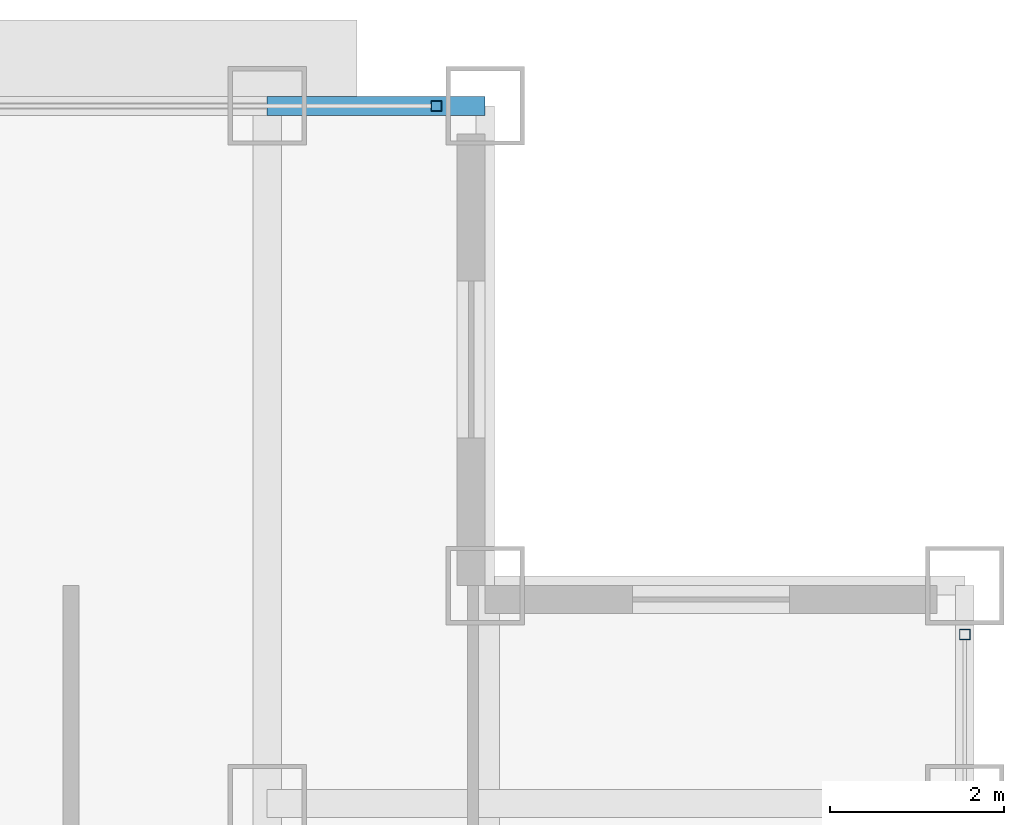
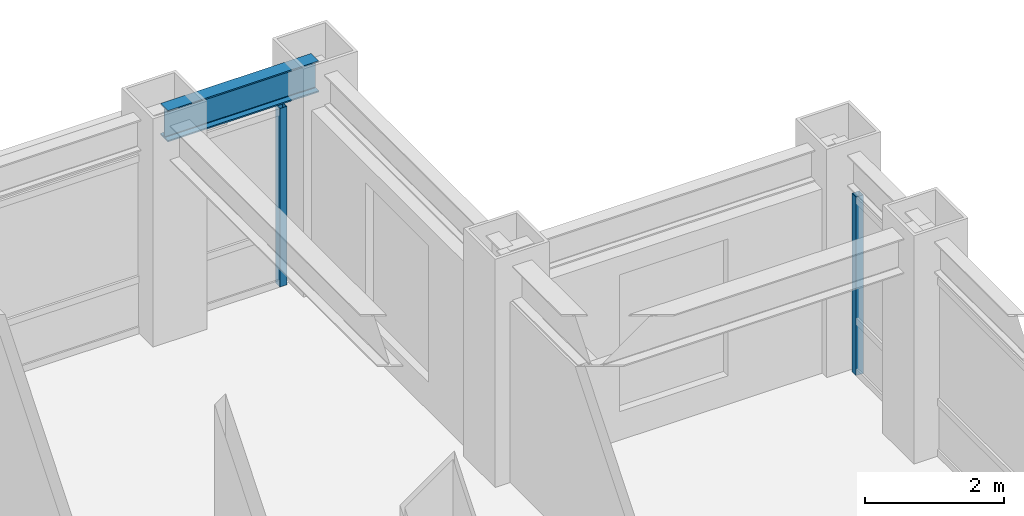
# One storey, part 16 of 27: 2 members, 1 beam, 2 elements without a shape of their own.
"""IFC4 building model written with IfcOpenShell, lengths in metres."""

from ifc_helpers import new_model, si_unit, direction, frame, origin, origin_2d, place, context, subcontext, project, spatial, hollow_rectangle, i_section, extrude, source, transform, mapped, material, material_profile, profile_set, type_object, element, aggregate, save


model = new_model("IFC4")

# Units and contexts
model_context = context("Model", 3, precision=1e-05, world=origin(), true_north=direction((0.0, 1.0)))
body_context = subcontext(model_context, "Body", "Model", "MODEL_VIEW")
ifc_project = project(units=[si_unit("LENGTHUNIT", "METRE"), si_unit("AREAUNIT", "SQUARE_METRE"), si_unit("VOLUMEUNIT", "CUBIC_METRE"), si_unit("PLANEANGLEUNIT", "RADIAN"), si_unit("MASSUNIT", "GRAM", prefix="KILO")], contexts=[model_context])

# Site, building, storey
site_placement = place(None, origin())
site = spatial("IfcSite", under=ifc_project, at=site_placement, CompositionType="ELEMENT")
building_placement = place(site_placement, origin())
building = spatial("IfcBuilding", under=site, at=building_placement, Name="Khorayat Bourse Tower", CompositionType="ELEMENT")
storey_placement = place(building_placement, frame((0.0, 0.0, 281.5)))
storey = spatial("IfcBuildingStorey", under=building, at=storey_placement, Name="L66", CompositionType="ELEMENT", Elevation=281.5)

# Beam
ifc_material_1 = material(Name="Steel ASTM A992 Grade 50", Category="steel")
ifc_material_profile_1 = material_profile(ifc_material_1, i_section(OverallWidth=0.214111328125, OverallDepth=0.549072265625, WebThickness=0.0146484375, FlangeThickness=0.023681640625, FilletRadius=0.013916015625, at=origin_2d()), Name="W530X138")
ifc_profile_set_1 = profile_set([ifc_material_profile_1], Name="Steel ASTM A992 Grade 50")
beam_type = type_object("IfcBeamType", Name="BM-SPAN-530", PredefinedType="SPANDREL", material=ifc_profile_set_1)
shared_shape_1 = source(origin(), body_context, "Body", "SweptSolid", [
    extrude(i_section(OverallWidth=0.214111328125, OverallDepth=0.549072265625, WebThickness=0.0146484375, FlangeThickness=0.023681640625, FilletRadius=0.013916015625, at=origin_2d()), origin(), (0.0, 0.0, 1.0), 2.5),
])
beam_placement = place(storey_placement, frame((20.0, 28.0, 3.505615234375), z_axis=(1.0, 0.0, 0.0), x_axis=(0.0, 1.0, 0.0)))
element("IfcBeam", 1, at=beam_placement, inside=storey, type_object=beam_type, Name="L66 BM-SPAN-530 BM-L66-SPN-044", PredefinedType="SPANDREL", context=body_context, shape_type="MappedRepresentation", body=[
    mapped(shared_shape_1, transform((0.0, 0.0, 0.0), scale=1.0)),
])

# Curtain wall, member
ifc_material_2 = material(Name="Aluminium EN AW-6063 T6", Category="aluminium")
curtain_wall_type = type_object("IfcCurtainWallType", Name="CW-SYS-04", PredefinedType="NOTDEFINED", material=ifc_material_2)
curtain_wall_1_placement = place(storey_placement, origin())
curtain_wall_1 = element("IfcCurtainWall", 2, at=curtain_wall_1_placement, inside=storey, type_object=curtain_wall_type, Name="L66 Curtain Wall CW-L66-N1", PredefinedType="NOTDEFINED")
ifc_material_profile_2 = material_profile(ifc_material_2, hollow_rectangle(XDim=0.1201171875, YDim=0.1201171875, WallThickness=0.0048828125, at=origin_2d()), Name="ALU 120x120x5")
ifc_profile_set_2 = profile_set([ifc_material_profile_2], Name="Aluminium EN AW-6063 T6")
member_type = type_object("IfcMemberType", Name="CWM-VERT-120", PredefinedType="MULLION", material=ifc_profile_set_2)
shared_shape_2 = source(origin(), body_context, "Body", "SweptSolid", [
    extrude(hollow_rectangle(XDim=0.1201171875, YDim=0.1201171875, WallThickness=0.0048828125, at=origin_2d()), origin(), (0.0, 0.0, 1.0), 3.1298828125),
])
member_1_placement = place(storey_placement, frame((21.93994140625, 28.0, 0.0), z_axis=(0.0, 0.0, 1.0), x_axis=(0.0, 1.0, 0.0)))
member_1 = element("IfcMember", 3, at=member_1_placement, type_object=member_type, Name="CW-L66-N1 Vertical Mullion 3", PredefinedType="MULLION", context=body_context, shape_type="MappedRepresentation", body=[
    mapped(shared_shape_2, transform((0.0, 0.0, 0.0), scale=1.0)),
])
aggregate(curtain_wall_1, [member_1])

curtain_wall_2_placement = place(storey_placement, origin())
curtain_wall_2 = element("IfcCurtainWall", 4, at=curtain_wall_2_placement, inside=storey, type_object=curtain_wall_type, Name="L66 Curtain Wall CW-L66-E1", PredefinedType="NOTDEFINED")
member_2_placement = place(storey_placement, frame((28.0, 21.93994140625, 0.0), z_axis=(0.0, 0.0, 1.0), x_axis=(-1.0, 0.0, 0.0)))
member_2 = element("IfcMember", 5, at=member_2_placement, type_object=member_type, Name="CW-L66-E1 Vertical Mullion 3", PredefinedType="MULLION", context=body_context, shape_type="MappedRepresentation", body=[
    mapped(shared_shape_2, transform((0.0, 0.0, 0.0), scale=1.0)),
])
aggregate(curtain_wall_2, [member_2])

save(model, "model.ifc")
